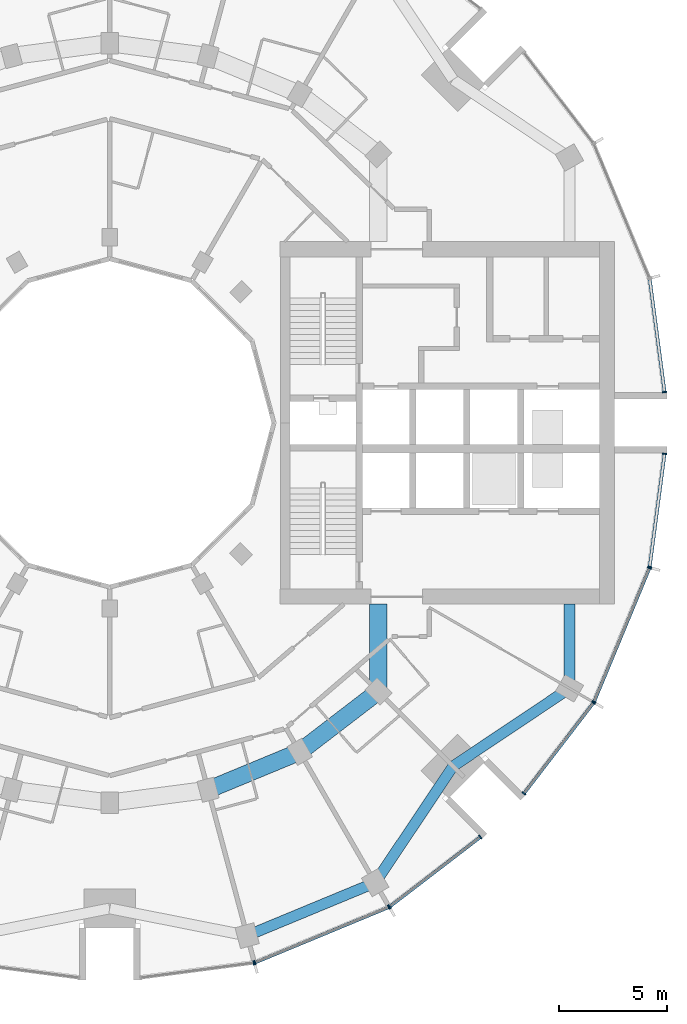
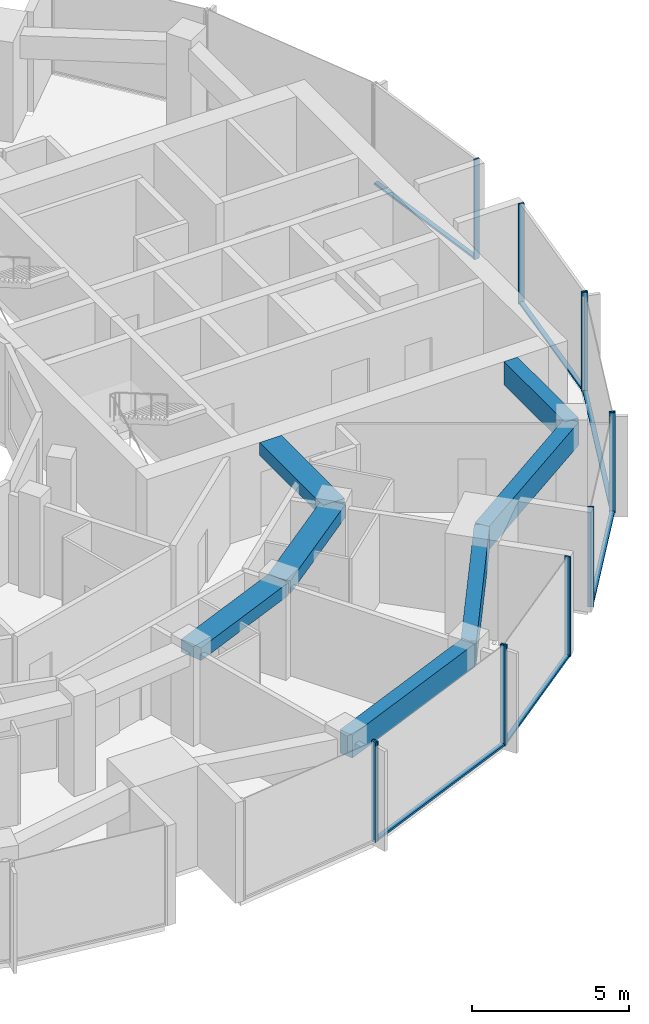
# One storey, part 4 of 15: 18 members, 7 beams, 7 elements without a shape of their own.
"""IFC4 building model written with IfcOpenShell, lengths in metres."""

import ifcopenshell
import ifcopenshell.guid

model = None  # the IFC model being written
_history = None  # IfcOwnerHistory: only IFC2X3 demands one
_inside = {}  # id of a spatial element -> (the spatial element, [elements in it])
_under = {}  # id of a project, library or spatial element -> (it, [spatial elements below it])
_declared = {}  # id of a project -> (the project, [libraries it declares])
_typed = {}  # id of a type object -> (the type object, [elements of that type])
_made_of = {}  # id of a material, layer set ... -> (it, [elements and type objects made of it])


def new_model(schema):
    """Start an empty IFC model of exactly this schema.

    Asked for "IFC4X3", IfcOpenShell would pick the latest addendum, in which some entities
    have other attributes; the version numbers below select the first issue.
    IFC2X3 requires an IfcOwnerHistory on every rooted entity: one is made here for all.
    """
    global model, _history
    if schema == "IFC4X3":
        model = ifcopenshell.file(schema_version=(4, 3, 0, 0))
    else:
        model = ifcopenshell.file(schema=schema)
    _inside.clear()
    _under.clear()
    _declared.clear()
    _typed.clear()
    _made_of.clear()
    _history = None
    if model.schema == "IFC2X3":
        org = make("IfcOrganization", Name="unknown")
        user = make(
            "IfcPersonAndOrganization",
            ThePerson=make("IfcPerson", FamilyName="unknown"),
            TheOrganization=org,
        )
        app = make(
            "IfcApplication",
            ApplicationDeveloper=org,
            Version="unknown",
            ApplicationFullName="unknown",
            ApplicationIdentifier="unknown",
        )
        _history = make(
            "IfcOwnerHistory",
            OwningUser=user,
            OwningApplication=app,
            ChangeAction="ADDED",
            CreationDate=0,
        )
    return model


def make(cls, **values):
    """One entity of the class cls with the attributes given. An attribute that is None is left unset."""
    return model.create_entity(
        cls, **{name: value for name, value in values.items() if value is not None}
    )


def rooted(cls, **values):
    """An entity with a GlobalId (a new one), such as an element, a storey or a relation."""
    return make(cls, GlobalId=ifcopenshell.guid.new(), OwnerHistory=_history, **values)


def si_unit(unit_type, name, prefix=None):
    """IfcSIUnit, for example si_unit("LENGTHUNIT", "METRE", prefix="MILLI")."""
    return make("IfcSIUnit", UnitType=unit_type, Prefix=prefix, Name=name)


def assignment(units):
    """IfcUnitAssignment: the units of a project."""
    return None if units is None else make("IfcUnitAssignment", Units=units)


def point(xyz):
    """IfcCartesianPoint."""
    return None if xyz is None else make("IfcCartesianPoint", Coordinates=xyz)


def direction(xyz):
    """IfcDirection."""
    return None if xyz is None else make("IfcDirection", DirectionRatios=xyz)


def frame(location, z_axis=None, x_axis=None):
    """IfcAxis2Placement3D, a coordinate frame: its origin and axes. An axis left out is left unset."""
    return make(
        "IfcAxis2Placement3D",
        Location=point(location),
        Axis=direction(z_axis),
        RefDirection=direction(x_axis),
    )


def frame_2d(location, x_axis=None):
    """IfcAxis2Placement2D, a coordinate frame in the plane: its origin and x axis."""
    return make(
        "IfcAxis2Placement2D", Location=point(location), RefDirection=direction(x_axis)
    )


def origin():
    """The frame at (0, 0, 0) with its axes left unset."""
    return frame((0.0, 0.0, 0.0))


def origin_2d():
    """The frame at (0, 0) in the plane with its x axis left unset."""
    return frame_2d((0.0, 0.0))


def place(relative_to, where):
    """IfcLocalPlacement: puts the frame where relative to a parent placement (None: the world)."""
    return make(
        "IfcLocalPlacement", PlacementRelTo=relative_to, RelativePlacement=where
    )


def context(
    kind, dimensions, precision=None, world=None, true_north=None, identifier=None
):
    """IfcGeometricRepresentationContext, for example the 3D "Model" context."""
    return make(
        "IfcGeometricRepresentationContext",
        ContextIdentifier=identifier,
        ContextType=kind,
        CoordinateSpaceDimension=dimensions,
        Precision=precision,
        WorldCoordinateSystem=world,
        TrueNorth=true_north,
    )


def subcontext(parent, identifier, kind, view, scale=None):
    """IfcGeometricRepresentationSubContext, for example "Body" below "Model"."""
    return make(
        "IfcGeometricRepresentationSubContext",
        ContextIdentifier=identifier,
        ContextType=kind,
        ParentContext=parent,
        TargetScale=scale,
        TargetView=view,
    )


def project(units=None, contexts=None):
    """IfcProject with its units and contexts."""
    return rooted(
        "IfcProject",
        Name="project",
        RepresentationContexts=contexts,
        UnitsInContext=assignment(units),
    )


def spatial(cls, under=None, at=None, **own):
    """A site, building, storey or space (cls), placed at a placement, below another one or the project."""
    s = rooted(cls, ObjectPlacement=at, **own)
    if under is not None:
        _under.setdefault(under.id(), (under, []))[1].append(s)
    return s


def profile(cls, at=None, kind="AREA", **sizes):
    """A parametric profile (cls). Its sizes go by their IFC names, for example OverallWidth=200.0."""
    return make(cls, ProfileType=kind, Position=at, **sizes)


def rectangle(**sizes):
    """IfcRectangleProfileDef."""
    return profile("IfcRectangleProfileDef", **sizes)


def extrude(swept, where, along, depth):
    """IfcExtrudedAreaSolid: the profile swept, set in the frame where, extruded along a direction by depth."""
    return make(
        "IfcExtrudedAreaSolid",
        SweptArea=swept,
        Position=where,
        ExtrudedDirection=direction(along),
        Depth=depth,
    )


def shape(context_of_items, identifier, shape_type, items):
    """IfcShapeRepresentation: the items that make up one representation, for example the "Body"."""
    return make(
        "IfcShapeRepresentation",
        ContextOfItems=context_of_items,
        RepresentationIdentifier=identifier,
        RepresentationType=shape_type,
        Items=items,
    )


def material(Name=None, Category=None):
    """IfcMaterial."""
    return make("IfcMaterial", Name=Name, Category=Category)


def layer(
    of_material, thickness, ventilated=None, Name=None, Category=None, Priority=None
):
    """IfcMaterialLayer: one layer of a wall or slab, of a material (None: an air gap)."""
    return make(
        "IfcMaterialLayer",
        Material=of_material,
        LayerThickness=thickness,
        IsVentilated=ventilated,
        Name=Name,
        Category=Category,
        Priority=Priority,
    )


def layer_set(layers, Name=None):
    """IfcMaterialLayerSet."""
    return make("IfcMaterialLayerSet", MaterialLayers=layers, LayerSetName=Name)


def material_profile(
    of_material, cross_section, Name=None, Category=None, Priority=None
):
    """IfcMaterialProfile: a cross section and its material."""
    return make(
        "IfcMaterialProfile",
        Name=Name,
        Material=of_material,
        Profile=cross_section,
        Priority=Priority,
        Category=Category,
    )


def profile_set(profiles, Name=None, composite=None):
    """IfcMaterialProfileSet."""
    return make(
        "IfcMaterialProfileSet",
        Name=Name,
        MaterialProfiles=profiles,
        CompositeProfile=composite,
    )


def made_of(thing, what):
    """Note that an element or type object is made of a material, layer set ...; save() writes the relation."""
    if what is not None:
        _made_of.setdefault(what.id(), (what, []))[1].append(thing)
    return thing


def type_object(cls, material=None, **own):
    """A type object (cls), such as IfcWallType, which elements share."""
    return made_of(rooted(cls, **own), material)


def element(
    cls,
    number,
    at=None,
    inside=None,
    cuts=None,
    type_object=None,
    material=None,
    context=None,
    identifier="Body",
    shape_type=None,
    held_by="IfcProductDefinitionShape",
    body=None,
    shapes=None,
    **own,
):
    """One element of the class cls, such as IfcWall. Its Tag is "e" and its number.

    at: its placement. inside: the storey or other place that contains it. cuts: it is an
    opening in that element (IfcRelVoidsElement). A single representation is given by context,
    identifier, shape_type and body (its items); several are given by shapes. held_by: the class
    of the entity that holds the representations. save() writes the other relations.
    """
    e = rooted(cls, Tag="e%d" % number, ObjectPlacement=at, **own)
    if body is not None:
        shapes = [shape(context, identifier, shape_type, body)]
    if shapes is not None:
        e.Representation = make(held_by, Representations=shapes)
    if inside is not None:
        _inside.setdefault(inside.id(), (inside, []))[1].append(e)
    if cuts is not None:
        rooted(
            "IfcRelVoidsElement", RelatingBuildingElement=cuts, RelatedOpeningElement=e
        )
    if type_object is not None:
        _typed.setdefault(type_object.id(), (type_object, []))[1].append(e)
    return made_of(e, material)


def aggregate(whole, parts):
    """IfcRelAggregates: a whole, such as a stair, and the parts it consists of."""
    return rooted("IfcRelAggregates", RelatingObject=whole, RelatedObjects=parts)


def save(model, path):
    """Write the relations noted so far, then the file.

    IfcRelAggregates (storeys below a building ...), IfcRelContainedInSpatialStructure (elements
    in a storey), IfcRelDefinesByType, IfcRelAssociatesMaterial and IfcRelDeclares: one each for
    every whole, place, type object, material and project.
    """
    for whole, parts in _under.values():
        aggregate(whole, parts)
    for where, things in _inside.values():
        rooted(
            "IfcRelContainedInSpatialStructure",
            RelatedElements=things,
            RelatingStructure=where,
        )
    for kind, things in _typed.values():
        rooted("IfcRelDefinesByType", RelatedObjects=things, RelatingType=kind)
    for what, things in _made_of.values():
        rooted("IfcRelAssociatesMaterial", RelatedObjects=things, RelatingMaterial=what)
    for by, libraries in _declared.values():
        rooted("IfcRelDeclares", RelatingContext=by, RelatedDefinitions=libraries)
    model.write(path)


model = new_model("IFC4")

# Units and contexts
model_context = context("Model", 3, precision=1e-05, world=origin(), true_north=direction((0.0, 1.0)))
body_context = subcontext(model_context, "Body", "Model", "MODEL_VIEW")
ifc_project = project(units=[si_unit("LENGTHUNIT", "METRE"), si_unit("AREAUNIT", "SQUARE_METRE"), si_unit("VOLUMEUNIT", "CUBIC_METRE"), si_unit("PLANEANGLEUNIT", "RADIAN"), si_unit("MASSUNIT", "GRAM", prefix="KILO")], contexts=[model_context])

# Site, building, storey
site_placement = place(None, origin())
site = spatial("IfcSite", under=ifc_project, at=site_placement, CompositionType="ELEMENT")
building_placement = place(site_placement, origin())
building = spatial("IfcBuilding", under=site, at=building_placement, Name="Torre Brocal", CompositionType="ELEMENT")
storey_placement = place(building_placement, frame((0.0, 0.0, 118.5)))
storey = spatial("IfcBuildingStorey", under=building, at=storey_placement, Name="L27", CompositionType="ELEMENT", Elevation=118.5)

# Curtain wall, member
ifc_material_1 = material(Name="Aluminium and glass", Category="aluminium")
ifc_layer_1 = layer(ifc_material_1, 0.199951171875)
ifc_layer_set_1 = layer_set([ifc_layer_1], Name="Aluminium and glass")
curtain_wall_type_1 = type_object("IfcCurtainWallType", Name="CW-1 CURTAIN WALL 3900 HIGH", PredefinedType="NOTDEFINED", material=ifc_layer_set_1)
curtain_wall_1_placement = place(storey_placement, origin())
curtain_wall_1 = element("IfcCurtainWall", 1, at=curtain_wall_1_placement, inside=storey, type_object=curtain_wall_type_1, Name="CW-1 RUN 19", PredefinedType="NOTDEFINED")
ifc_material_2 = material(Name="Aluminium, dark anodised", Category="aluminium")
ifc_material_profile_1 = material_profile(ifc_material_2, rectangle(XDim=0.199951171875, YDim=0.06005859375, at=origin_2d()), Name="CW-1 MULLION 60X200")
ifc_profile_set_1 = profile_set([ifc_material_profile_1], Name="Aluminium, dark anodised")
member_type_1 = type_object("IfcMemberType", Name="CW-1 MULLION 60X200", PredefinedType="MULLION", material=ifc_profile_set_1)
member_1_placement = place(storey_placement, frame((86.67333984375, 49.9794921875, 0.0), z_axis=(0.0, 0.0, 1.0), x_axis=(-0.13052619222, 0.991444861374, 0.0)))
member_1 = element("IfcMember", 2, at=member_1_placement, type_object=member_type_1, Name="CW1-3 mullion 2", PredefinedType="MULLION", context=body_context, shape_type="SweptSolid", body=[
    extrude(rectangle(XDim=0.199951171875, YDim=0.06005859375, at=origin_2d()), origin(), (0.0, 0.0, 1.0), 3.89990234375),
])
aggregate(curtain_wall_1, [member_1])

# Curtain wall, members
curtain_wall_2_placement = place(storey_placement, origin())
curtain_wall_2 = element("IfcCurtainWall", 3, at=curtain_wall_2_placement, inside=storey, type_object=curtain_wall_type_1, Name="CW-1 RUN 20", PredefinedType="NOTDEFINED")
member_2_placement = place(storey_placement, frame((86.73095703125, 49.994873046875, 0.0), z_axis=(0.0, 0.0, 1.0), x_axis=(-0.382683432333, 0.923879532525, 0.0)))
member_2 = element("IfcMember", 4, at=member_2_placement, type_object=member_type_1, Name="CW1-3 mullion 1", PredefinedType="MULLION", context=body_context, shape_type="SweptSolid", body=[
    extrude(rectangle(XDim=0.199951171875, YDim=0.06005859375, at=origin_2d()), origin(), (0.0, 0.0, 1.0), 3.89990234375),
])
member_3_placement = place(storey_placement, frame((92.921875, 52.559326171875, 0.0), z_axis=(0.0, 0.0, 1.0), x_axis=(-0.382683432333, 0.923879532525, 0.0)))
member_3 = element("IfcMember", 5, at=member_3_placement, type_object=member_type_1, Name="CW1-3 mullion 2", PredefinedType="MULLION", context=body_context, shape_type="SweptSolid", body=[
    extrude(rectangle(XDim=0.199951171875, YDim=0.06005859375, at=origin_2d()), origin(), (0.0, 0.0, 1.0), 3.89990234375),
])

curtain_wall_3_placement = place(storey_placement, origin())
curtain_wall_3 = element("IfcCurtainWall", 6, at=curtain_wall_3_placement, inside=storey, type_object=curtain_wall_type_1, Name="CW-1 RUN 21", PredefinedType="NOTDEFINED")
member_4_placement = place(storey_placement, frame((92.973388671875, 52.5888671875, 0.0), z_axis=(0.0, 0.0, 1.0), x_axis=(-0.60876142905, 0.793353340259, 0.0)))
member_4 = element("IfcMember", 7, at=member_4_placement, type_object=member_type_1, Name="CW1-3 mullion 1", PredefinedType="MULLION", context=body_context, shape_type="SweptSolid", body=[
    extrude(rectangle(XDim=0.199951171875, YDim=0.06005859375, at=origin_2d()), origin(), (0.0, 0.0, 1.0), 3.89990234375),
])
member_5_placement = place(storey_placement, frame((97.16943359375, 55.80859375, 0.0), z_axis=(0.0, 0.0, 1.0), x_axis=(-0.60876142905, 0.793353340259, 0.0)))
member_5 = element("IfcMember", 8, at=member_5_placement, type_object=member_type_1, Name="CW1-3 mullion 2", PredefinedType="MULLION", context=body_context, shape_type="SweptSolid", body=[
    extrude(rectangle(XDim=0.199951171875, YDim=0.06005859375, at=origin_2d()), origin(), (0.0, 0.0, 1.0), 3.89990234375),
])

curtain_wall_4_placement = place(storey_placement, origin())
curtain_wall_4 = element("IfcCurtainWall", 9, at=curtain_wall_4_placement, inside=storey, type_object=curtain_wall_type_1, Name="CW-1 RUN 22", PredefinedType="NOTDEFINED")
member_6_placement = place(storey_placement, frame((99.19140625, 57.83056640625, 0.0), z_axis=(0.0, 0.0, 1.0), x_axis=(-0.793353340259, 0.60876142905, 0.0)))
member_6 = element("IfcMember", 10, at=member_6_placement, type_object=member_type_1, Name="CW1-3 mullion 1", PredefinedType="MULLION", context=body_context, shape_type="SweptSolid", body=[
    extrude(rectangle(XDim=0.199951171875, YDim=0.06005859375, at=origin_2d()), origin(), (0.0, 0.0, 1.0), 3.89990234375),
])
member_7_placement = place(storey_placement, frame((102.4111328125, 62.026611328125, 0.0), z_axis=(0.0, 0.0, 1.0), x_axis=(-0.793353340259, 0.60876142905, 0.0)))
member_7 = element("IfcMember", 11, at=member_7_placement, type_object=member_type_1, Name="CW1-3 mullion 2", PredefinedType="MULLION", context=body_context, shape_type="SweptSolid", body=[
    extrude(rectangle(XDim=0.199951171875, YDim=0.06005859375, at=origin_2d()), origin(), (0.0, 0.0, 1.0), 3.89990234375),
])

curtain_wall_5_placement = place(storey_placement, origin())
curtain_wall_5 = element("IfcCurtainWall", 12, at=curtain_wall_5_placement, inside=storey, type_object=curtain_wall_type_1, Name="CW-1 RUN 23", PredefinedType="NOTDEFINED")
member_8_placement = place(storey_placement, frame((102.440673828125, 62.078125, 0.0), z_axis=(0.0, 0.0, 1.0), x_axis=(-0.923879532525, 0.382683432333, 0.0)))
member_8 = element("IfcMember", 13, at=member_8_placement, type_object=member_type_1, Name="CW1-3 mullion 1", PredefinedType="MULLION", context=body_context, shape_type="SweptSolid", body=[
    extrude(rectangle(XDim=0.199951171875, YDim=0.06005859375, at=origin_2d()), origin(), (0.0, 0.0, 1.0), 3.89990234375),
])
member_9_placement = place(storey_placement, frame((105.005126953125, 68.26904296875, 0.0), z_axis=(0.0, 0.0, 1.0), x_axis=(-0.923879532525, 0.382683432333, 0.0)))
member_9 = element("IfcMember", 14, at=member_9_placement, type_object=member_type_1, Name="CW1-3 mullion 2", PredefinedType="MULLION", context=body_context, shape_type="SweptSolid", body=[
    extrude(rectangle(XDim=0.199951171875, YDim=0.06005859375, at=origin_2d()), origin(), (0.0, 0.0, 1.0), 3.89990234375),
])

# Member
ifc_material_3 = material(Name="Aluminium, dark anodised", Category="aluminium")
ifc_material_profile_2 = material_profile(ifc_material_3, rectangle(XDim=0.159912109375, YDim=0.080078125, at=origin_2d()), Name="CW-1 TRANSOM 160X80")
ifc_profile_set_2 = profile_set([ifc_material_profile_2], Name="Aluminium, dark anodised")
member_type_2 = type_object("IfcMemberType", Name="CW-1 TRANSOM 160X80", PredefinedType="USERDEFINED", material=ifc_profile_set_2)
member_10_placement = place(storey_placement, frame((86.758544921875, 50.00634765625, 0.0400390625), z_axis=(0.923887344364, 0.38266457234, 0.0), x_axis=(-0.38266457234, 0.923887344364, 0.0)))
member_10 = element("IfcMember", 15, at=member_10_placement, type_object=member_type_2, Name="CW1-3 transom 1.1", ObjectType="TRANSOM", PredefinedType="USERDEFINED", context=body_context, shape_type="SweptSolid", body=[
    extrude(rectangle(XDim=0.159912109375, YDim=0.080078125, at=origin_2d()), origin(), (0.0, 0.0, 1.0), 6.640869140625),
])

aggregate(curtain_wall_2, [member_2, member_3, member_10])

member_11_placement = place(storey_placement, frame((92.9970703125, 52.607177734375, 0.0400390625), z_axis=(0.79336281513, 0.60874908096, 0.0), x_axis=(-0.60874908096, 0.79336281513, 0.0)))
member_11 = element("IfcMember", 16, at=member_11_placement, type_object=member_type_2, Name="CW1-3 transom 1.1", ObjectType="TRANSOM", PredefinedType="USERDEFINED", context=body_context, shape_type="SweptSolid", body=[
    extrude(rectangle(XDim=0.159912109375, YDim=0.080078125, at=origin_2d()), origin(), (0.0, 0.0, 1.0), 5.22900390625),
])

aggregate(curtain_wall_3, [member_4, member_5, member_11])

member_12_placement = place(storey_placement, frame((99.209716796875, 57.8544921875, 0.0400390625), z_axis=(0.60874908096, 0.79336281513, 0.0), x_axis=(-0.79336281513, 0.60874908096, 0.0)))
member_12 = element("IfcMember", 17, at=member_12_placement, type_object=member_type_2, Name="CW1-3 transom 1.1", ObjectType="TRANSOM", PredefinedType="USERDEFINED", context=body_context, shape_type="SweptSolid", body=[
    extrude(rectangle(XDim=0.159912109375, YDim=0.080078125, at=origin_2d()), origin(), (0.0, 0.0, 1.0), 5.22900390625),
])

aggregate(curtain_wall_4, [member_6, member_7, member_12])

member_13_placement = place(storey_placement, frame((102.452392578125, 62.10595703125, 0.0400390625), z_axis=(0.38266457234, 0.923887344364, 0.0), x_axis=(-0.923887344364, 0.38266457234, 0.0)))
member_13 = element("IfcMember", 18, at=member_13_placement, type_object=member_type_2, Name="CW1-3 transom 1.1", ObjectType="TRANSOM", PredefinedType="USERDEFINED", context=body_context, shape_type="SweptSolid", body=[
    extrude(rectangle(XDim=0.159912109375, YDim=0.080078125, at=origin_2d()), origin(), (0.0, 0.0, 1.0), 6.640869140625),
])

aggregate(curtain_wall_5, [member_8, member_9, member_13])

# Curtain wall, member
ifc_material_4 = material(Name="Aluminium and glass", Category="aluminium")
ifc_layer_2 = layer(ifc_material_4, 0.199951171875)
ifc_layer_set_2 = layer_set([ifc_layer_2], Name="Aluminium and glass")
curtain_wall_type_2 = type_object("IfcCurtainWallType", Name="CW-1B CURTAIN WALL 3900 HIGH", PredefinedType="NOTDEFINED", material=ifc_layer_set_2)
curtain_wall_6_placement = place(storey_placement, origin())
curtain_wall_6 = element("IfcCurtainWall", 19, at=curtain_wall_6_placement, inside=storey, type_object=curtain_wall_type_2, Name="CW-1B RUN 1", PredefinedType="NOTDEFINED")
ifc_material_5 = material(Name="Aluminium, dark anodised", Category="aluminium")
ifc_material_profile_3 = material_profile(ifc_material_5, rectangle(XDim=0.199951171875, YDim=0.06005859375, at=origin_2d()), Name="CW-1B MULLION 60X200")
ifc_profile_set_3 = profile_set([ifc_material_profile_3], Name="Aluminium, dark anodised")
member_type_3 = type_object("IfcMemberType", Name="CW-1B MULLION 60X200", PredefinedType="MULLION", material=ifc_profile_set_3)
member_14_placement = place(storey_placement, frame((105.7109375, 76.4296875, 0.0), z_axis=(0.0, 0.0, 1.0), x_axis=(-0.991444861374, -0.13052619222, 0.0)))
member_14 = element("IfcMember", 20, at=member_14_placement, type_object=member_type_3, Name="CW1B-3 mullion 1", PredefinedType="MULLION", context=body_context, shape_type="SweptSolid", body=[
    extrude(rectangle(XDim=0.199951171875, YDim=0.06005859375, at=origin_2d()), origin(), (0.0, 0.0, 1.0), 3.89990234375),
])

# Curtain wall, members
curtain_wall_7_placement = place(storey_placement, origin())
curtain_wall_7 = element("IfcCurtainWall", 21, at=curtain_wall_7_placement, inside=storey, type_object=curtain_wall_type_2, Name="CW-1B RUN 24", PredefinedType="NOTDEFINED")
member_15_placement = place(storey_placement, frame((105.0205078125, 68.32666015625, 0.0), z_axis=(0.0, 0.0, 1.0), x_axis=(-0.991444861374, 0.13052619222, 0.0)))
member_15 = element("IfcMember", 22, at=member_15_placement, type_object=member_type_3, Name="CW1B-3 mullion 1", PredefinedType="MULLION", context=body_context, shape_type="SweptSolid", body=[
    extrude(rectangle(XDim=0.199951171875, YDim=0.06005859375, at=origin_2d()), origin(), (0.0, 0.0, 1.0), 3.89990234375),
])
member_16_placement = place(storey_placement, frame((105.7109375, 73.5703125, 0.0), z_axis=(0.0, 0.0, 1.0), x_axis=(-0.991444861374, 0.13052619222, 0.0)))
member_16 = element("IfcMember", 23, at=member_16_placement, type_object=member_type_3, Name="CW1B-3 mullion 2", PredefinedType="MULLION", context=body_context, shape_type="SweptSolid", body=[
    extrude(rectangle(XDim=0.199951171875, YDim=0.06005859375, at=origin_2d()), origin(), (0.0, 0.0, 1.0), 3.89990234375),
])

# Member
ifc_material_6 = material(Name="Aluminium, dark anodised", Category="aluminium")
ifc_material_profile_4 = material_profile(ifc_material_6, rectangle(XDim=0.159912109375, YDim=0.080078125, at=origin_2d()), Name="CW-1B TRANSOM 160X80")
ifc_profile_set_4 = profile_set([ifc_material_profile_4], Name="Aluminium, dark anodised")
member_type_4 = type_object("IfcMemberType", Name="CW-1B TRANSOM 160X80", PredefinedType="USERDEFINED", material=ifc_profile_set_4)
member_17_placement = place(storey_placement, frame((105.70703125, 76.45947265625, 0.0400390625), z_axis=(-0.130542677827, 0.991442690863, 0.0), x_axis=(-0.991442690863, -0.130542677827, 0.0)))
member_17 = element("IfcMember", 24, at=member_17_placement, type_object=member_type_4, Name="CW1B-3 transom 1.1", ObjectType="TRANSOM", PredefinedType="USERDEFINED", context=body_context, shape_type="SweptSolid", body=[
    extrude(rectangle(XDim=0.159912109375, YDim=0.080078125, at=origin_2d()), origin(), (0.0, 0.0, 1.0), 5.22900390625),
])

aggregate(curtain_wall_6, [member_14, member_17])

member_18_placement = place(storey_placement, frame((105.0244140625, 68.356201171875, 0.0400390625), z_axis=(0.130542677827, 0.991442690863, 0.0), x_axis=(-0.991442690863, 0.130542677827, 0.0)))
member_18 = element("IfcMember", 25, at=member_18_placement, type_object=member_type_4, Name="CW1B-3 transom 1.1", ObjectType="TRANSOM", PredefinedType="USERDEFINED", context=body_context, shape_type="SweptSolid", body=[
    extrude(rectangle(XDim=0.159912109375, YDim=0.080078125, at=origin_2d()), origin(), (0.0, 0.0, 1.0), 5.22900390625),
])

aggregate(curtain_wall_7, [member_15, member_16, member_18])

# Beams
ifc_material_7 = material(Name="Concrete C50", Category="concrete")
ifc_material_profile_5 = material_profile(ifc_material_7, rectangle(XDim=0.800048828125, YDim=0.5, at=origin_2d()), Name="RC 800X500")
ifc_profile_set_5 = profile_set([ifc_material_profile_5], Name="Concrete C50")
beam_type_1 = type_object("IfcBeamType", Name="RC BEAM 800X500 C50 TOP 3580", PredefinedType="BEAM", material=ifc_profile_set_5)
beam_1_placement = place(storey_placement, frame((84.55517578125, 57.999755859375, 3.330078125), z_axis=(0.923878240166, 0.382686552348, 0.0), x_axis=(-0.382686552348, 0.923878240166, 0.0)))
element("IfcBeam", 26, at=beam_1_placement, inside=storey, type_object=beam_type_1, Name="Beam BT-28", PredefinedType="BEAM", context=body_context, shape_type="SweptSolid", body=[
    extrude(rectangle(XDim=0.800048828125, YDim=0.5, at=origin_2d()), origin(), (0.0, 0.0, 1.0), 4.5947265625),
])
beam_2_placement = place(storey_placement, frame((88.800048828125, 59.758056640625, 3.330078125), z_axis=(0.793358265959, 0.6087550097, 0.0), x_axis=(-0.6087550097, 0.793358265959, 0.0)))
element("IfcBeam", 27, at=beam_2_placement, inside=storey, type_object=beam_type_1, Name="Beam BT-28", PredefinedType="BEAM", context=body_context, shape_type="SweptSolid", body=[
    extrude(rectangle(XDim=0.800048828125, YDim=0.5, at=origin_2d()), origin(), (0.0, 0.0, 1.0), 4.594482421875),
])
beam_3_placement = place(storey_placement, frame((92.445068359375, 62.554931640625, 3.330078125), z_axis=(0.0, 1.0, 0.0), x_axis=(-1.0, 0.0, 0.0)))
element("IfcBeam", 28, at=beam_3_placement, inside=storey, type_object=beam_type_1, Name="Beam BT-28", PredefinedType="BEAM", context=body_context, shape_type="SweptSolid", body=[
    extrude(rectangle(XDim=0.800048828125, YDim=0.5, at=origin_2d()), origin(), (0.0, 0.0, 1.0), 4.045166015625),
])
ifc_material_8 = material(Name="Concrete C50", Category="concrete")
ifc_material_profile_6 = material_profile(ifc_material_8, rectangle(XDim=0.5, YDim=0.89990234375, at=origin_2d()), Name="RC 500X900")
ifc_profile_set_6 = profile_set([ifc_material_profile_6], Name="Concrete C50")
beam_type_2 = type_object("IfcBeamType", Name="RC SPANDREL BEAM 500X900 C50 TOP 3580", PredefinedType="SPANDREL", material=ifc_profile_set_6)
beam_4_placement = place(storey_placement, frame((86.366943359375, 51.23828125, 3.1298828125), z_axis=(0.923882462513, 0.382676358639, 0.0), x_axis=(-0.382676358639, 0.923882462513, 0.0)))
element("IfcBeam", 29, at=beam_4_placement, inside=storey, type_object=beam_type_2, Name="Beam BT-29", PredefinedType="SPANDREL", context=body_context, shape_type="SweptSolid", body=[
    extrude(rectangle(XDim=0.5, YDim=0.89990234375, at=origin_2d()), origin(), (0.0, 0.0, 1.0), 6.421875),
])
for number, where, z_axis, x_axis, name in (
    (30, (92.300048828125, 53.69580078125, 3.1298828125), (0.556157602282, 0.831076844476, 0.0), (-0.831076844476, 0.556157602282, 0.0), "Beam BT-29"),
    (31, (95.909912109375, 59.090087890625, 3.1298828125), (0.831076844476, 0.556157602282, 0.0), (-0.556157602282, 0.831076844476, 0.0), "Beam BT-29"),
):
    element("IfcBeam", number, at=place(storey_placement, frame(where, z_axis=z_axis, x_axis=x_axis)), inside=storey, type_object=beam_type_2, Name=name, PredefinedType="SPANDREL", context=body_context, shape_type="SweptSolid", body=[
        extrude(rectangle(XDim=0.5, YDim=0.89990234375, at=origin_2d()), origin(), (0.0, 0.0, 1.0), 6.49072265625),
    ])
beam_5_placement = place(storey_placement, frame((101.30419921875, 62.699951171875, 3.1298828125), z_axis=(0.0, 1.0, 0.0), x_axis=(-1.0, 0.0, 0.0)))
element("IfcBeam", 32, at=beam_5_placement, inside=storey, type_object=beam_type_2, Name="Beam BT-29", PredefinedType="SPANDREL", context=body_context, shape_type="SweptSolid", body=[
    extrude(rectangle(XDim=0.5, YDim=0.89990234375, at=origin_2d()), origin(), (0.0, 0.0, 1.0), 3.900146484375),
])

save(model, "model.ifc")
